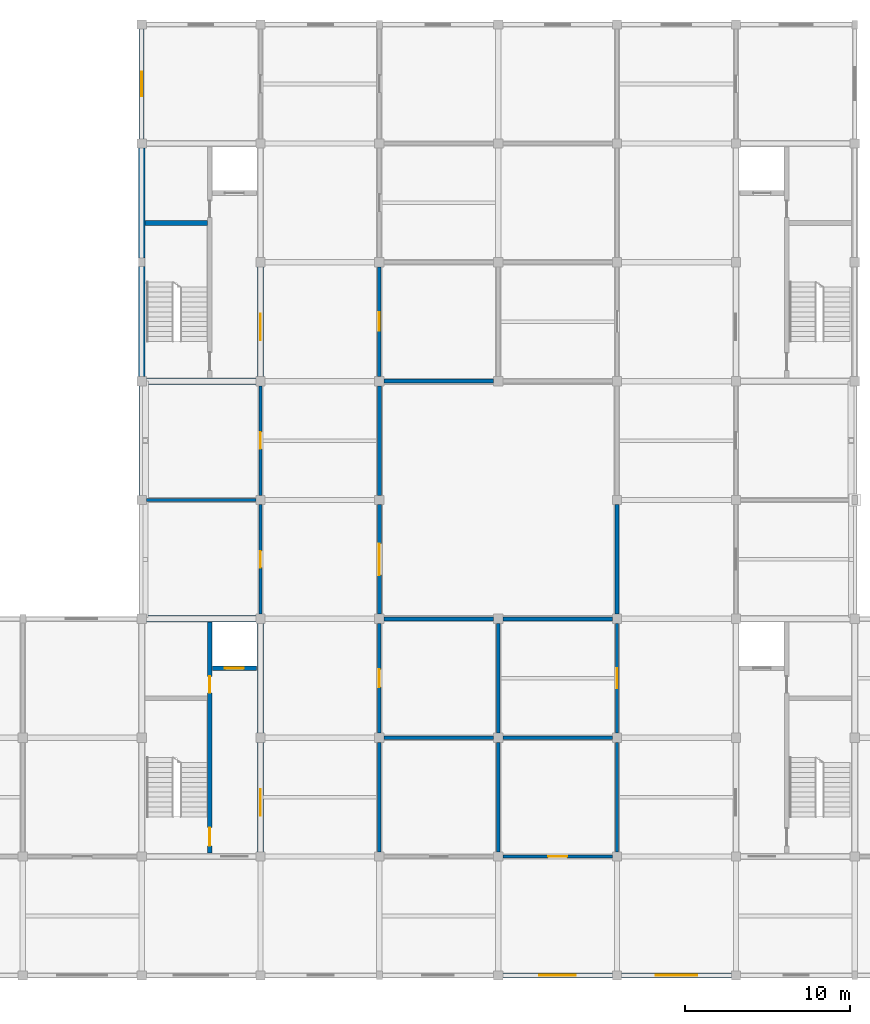
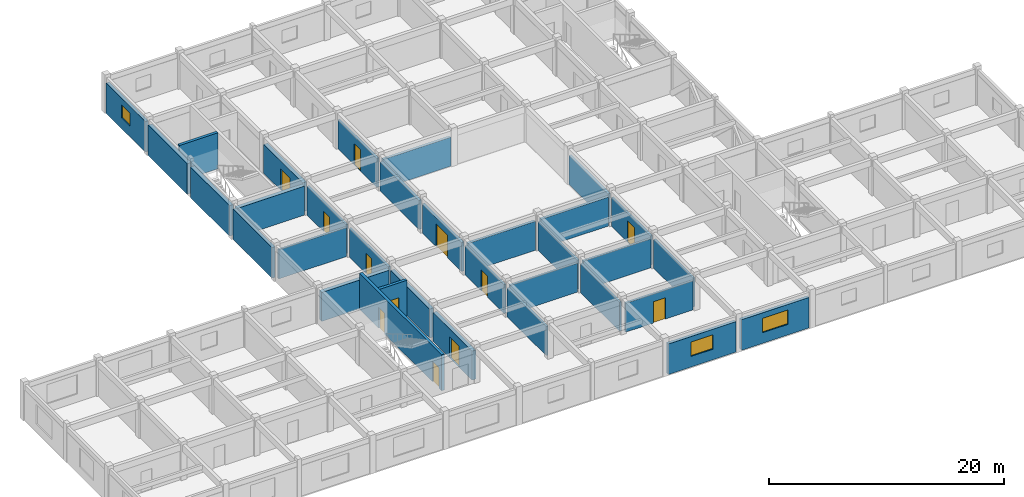
# One storey, part 6 of 10: 33 walls, 12 doors, 3 windows, 15 openings.
"""IFC4 building model written with IfcOpenShell, lengths in metres."""

import ifcopenshell
import ifcopenshell.guid

model = None  # the IFC model being written
_history = None  # IfcOwnerHistory: only IFC2X3 demands one
_inside = {}  # id of a spatial element -> (the spatial element, [elements in it])
_under = {}  # id of a project, library or spatial element -> (it, [spatial elements below it])
_declared = {}  # id of a project -> (the project, [libraries it declares])
_typed = {}  # id of a type object -> (the type object, [elements of that type])
_made_of = {}  # id of a material, layer set ... -> (it, [elements and type objects made of it])


def new_model(schema):
    """Start an empty IFC model of exactly this schema.

    Asked for "IFC4X3", IfcOpenShell would pick the latest addendum, in which some entities
    have other attributes; the version numbers below select the first issue.
    IFC2X3 requires an IfcOwnerHistory on every rooted entity: one is made here for all.
    """
    global model, _history
    if schema == "IFC4X3":
        model = ifcopenshell.file(schema_version=(4, 3, 0, 0))
    else:
        model = ifcopenshell.file(schema=schema)
    _inside.clear()
    _under.clear()
    _declared.clear()
    _typed.clear()
    _made_of.clear()
    _history = None
    if model.schema == "IFC2X3":
        org = make("IfcOrganization", Name="unknown")
        user = make(
            "IfcPersonAndOrganization",
            ThePerson=make("IfcPerson", FamilyName="unknown"),
            TheOrganization=org,
        )
        app = make(
            "IfcApplication",
            ApplicationDeveloper=org,
            Version="unknown",
            ApplicationFullName="unknown",
            ApplicationIdentifier="unknown",
        )
        _history = make(
            "IfcOwnerHistory",
            OwningUser=user,
            OwningApplication=app,
            ChangeAction="ADDED",
            CreationDate=0,
        )
    return model


def make(cls, **values):
    """One entity of the class cls with the attributes given. An attribute that is None is left unset."""
    return model.create_entity(
        cls, **{name: value for name, value in values.items() if value is not None}
    )


def rooted(cls, **values):
    """An entity with a GlobalId (a new one), such as an element, a storey or a relation."""
    return make(cls, GlobalId=ifcopenshell.guid.new(), OwnerHistory=_history, **values)


def si_unit(unit_type, name, prefix=None):
    """IfcSIUnit, for example si_unit("LENGTHUNIT", "METRE", prefix="MILLI")."""
    return make("IfcSIUnit", UnitType=unit_type, Prefix=prefix, Name=name)


def assignment(units):
    """IfcUnitAssignment: the units of a project."""
    return None if units is None else make("IfcUnitAssignment", Units=units)


def point(xyz):
    """IfcCartesianPoint."""
    return None if xyz is None else make("IfcCartesianPoint", Coordinates=xyz)


def direction(xyz):
    """IfcDirection."""
    return None if xyz is None else make("IfcDirection", DirectionRatios=xyz)


def frame(location, z_axis=None, x_axis=None):
    """IfcAxis2Placement3D, a coordinate frame: its origin and axes. An axis left out is left unset."""
    return make(
        "IfcAxis2Placement3D",
        Location=point(location),
        Axis=direction(z_axis),
        RefDirection=direction(x_axis),
    )


def frame_2d(location, x_axis=None):
    """IfcAxis2Placement2D, a coordinate frame in the plane: its origin and x axis."""
    return make(
        "IfcAxis2Placement2D", Location=point(location), RefDirection=direction(x_axis)
    )


def origin():
    """The frame at (0, 0, 0) with its axes left unset."""
    return frame((0.0, 0.0, 0.0))


def place(relative_to, where):
    """IfcLocalPlacement: puts the frame where relative to a parent placement (None: the world)."""
    return make(
        "IfcLocalPlacement", PlacementRelTo=relative_to, RelativePlacement=where
    )


def context(
    kind, dimensions, precision=None, world=None, true_north=None, identifier=None
):
    """IfcGeometricRepresentationContext, for example the 3D "Model" context."""
    return make(
        "IfcGeometricRepresentationContext",
        ContextIdentifier=identifier,
        ContextType=kind,
        CoordinateSpaceDimension=dimensions,
        Precision=precision,
        WorldCoordinateSystem=world,
        TrueNorth=true_north,
    )


def subcontext(parent, identifier, kind, view, scale=None):
    """IfcGeometricRepresentationSubContext, for example "Body" below "Model"."""
    return make(
        "IfcGeometricRepresentationSubContext",
        ContextIdentifier=identifier,
        ContextType=kind,
        ParentContext=parent,
        TargetScale=scale,
        TargetView=view,
    )


def project(units=None, contexts=None):
    """IfcProject with its units and contexts."""
    return rooted(
        "IfcProject",
        Name="project",
        RepresentationContexts=contexts,
        UnitsInContext=assignment(units),
    )


def spatial(cls, under=None, at=None, **own):
    """A site, building, storey or space (cls), placed at a placement, below another one or the project."""
    s = rooted(cls, ObjectPlacement=at, **own)
    if under is not None:
        _under.setdefault(under.id(), (under, []))[1].append(s)
    return s


def profile(cls, at=None, kind="AREA", **sizes):
    """A parametric profile (cls). Its sizes go by their IFC names, for example OverallWidth=200.0."""
    return make(cls, ProfileType=kind, Position=at, **sizes)


def rectangle(**sizes):
    """IfcRectangleProfileDef."""
    return profile("IfcRectangleProfileDef", **sizes)


def extrude(swept, where, along, depth):
    """IfcExtrudedAreaSolid: the profile swept, set in the frame where, extruded along a direction by depth."""
    return make(
        "IfcExtrudedAreaSolid",
        SweptArea=swept,
        Position=where,
        ExtrudedDirection=direction(along),
        Depth=depth,
    )


def shape(context_of_items, identifier, shape_type, items):
    """IfcShapeRepresentation: the items that make up one representation, for example the "Body"."""
    return make(
        "IfcShapeRepresentation",
        ContextOfItems=context_of_items,
        RepresentationIdentifier=identifier,
        RepresentationType=shape_type,
        Items=items,
    )


def material(Name=None, Category=None):
    """IfcMaterial."""
    return make("IfcMaterial", Name=Name, Category=Category)


def layer(
    of_material, thickness, ventilated=None, Name=None, Category=None, Priority=None
):
    """IfcMaterialLayer: one layer of a wall or slab, of a material (None: an air gap)."""
    return make(
        "IfcMaterialLayer",
        Material=of_material,
        LayerThickness=thickness,
        IsVentilated=ventilated,
        Name=Name,
        Category=Category,
        Priority=Priority,
    )


def layer_set(layers, Name=None):
    """IfcMaterialLayerSet."""
    return make("IfcMaterialLayerSet", MaterialLayers=layers, LayerSetName=Name)


def made_of(thing, what):
    """Note that an element or type object is made of a material, layer set ...; save() writes the relation."""
    if what is not None:
        _made_of.setdefault(what.id(), (what, []))[1].append(thing)
    return thing


def type_object(cls, material=None, **own):
    """A type object (cls), such as IfcWallType, which elements share."""
    return made_of(rooted(cls, **own), material)


def element(
    cls,
    number,
    at=None,
    inside=None,
    cuts=None,
    type_object=None,
    material=None,
    context=None,
    identifier="Body",
    shape_type=None,
    held_by="IfcProductDefinitionShape",
    body=None,
    shapes=None,
    **own,
):
    """One element of the class cls, such as IfcWall. Its Tag is "e" and its number.

    at: its placement. inside: the storey or other place that contains it. cuts: it is an
    opening in that element (IfcRelVoidsElement). A single representation is given by context,
    identifier, shape_type and body (its items); several are given by shapes. held_by: the class
    of the entity that holds the representations. save() writes the other relations.
    """
    e = rooted(cls, Tag="e%d" % number, ObjectPlacement=at, **own)
    if body is not None:
        shapes = [shape(context, identifier, shape_type, body)]
    if shapes is not None:
        e.Representation = make(held_by, Representations=shapes)
    if inside is not None:
        _inside.setdefault(inside.id(), (inside, []))[1].append(e)
    if cuts is not None:
        rooted(
            "IfcRelVoidsElement", RelatingBuildingElement=cuts, RelatedOpeningElement=e
        )
    if type_object is not None:
        _typed.setdefault(type_object.id(), (type_object, []))[1].append(e)
    return made_of(e, material)


def fill(opening, filler):
    """IfcRelFillsElement: the door or window that sits in an opening."""
    return rooted(
        "IfcRelFillsElement",
        RelatingOpeningElement=opening,
        RelatedBuildingElement=filler,
    )


def aggregate(whole, parts):
    """IfcRelAggregates: a whole, such as a stair, and the parts it consists of."""
    return rooted("IfcRelAggregates", RelatingObject=whole, RelatedObjects=parts)


def save(model, path):
    """Write the relations noted so far, then the file.

    IfcRelAggregates (storeys below a building ...), IfcRelContainedInSpatialStructure (elements
    in a storey), IfcRelDefinesByType, IfcRelAssociatesMaterial and IfcRelDeclares: one each for
    every whole, place, type object, material and project.
    """
    for whole, parts in _under.values():
        aggregate(whole, parts)
    for where, things in _inside.values():
        rooted(
            "IfcRelContainedInSpatialStructure",
            RelatedElements=things,
            RelatingStructure=where,
        )
    for kind, things in _typed.values():
        rooted("IfcRelDefinesByType", RelatedObjects=things, RelatingType=kind)
    for what, things in _made_of.values():
        rooted("IfcRelAssociatesMaterial", RelatedObjects=things, RelatingMaterial=what)
    for by, libraries in _declared.values():
        rooted("IfcRelDeclares", RelatingContext=by, RelatedDefinitions=libraries)
    model.write(path)


model = new_model("IFC4")

# Units and contexts
model_context = context("Model", 3, precision=1e-05, world=origin(), true_north=direction((0.0, 1.0)))
body_context = subcontext(model_context, "Body", "Model", "MODEL_VIEW")
ifc_project = project(units=[si_unit("LENGTHUNIT", "METRE"), si_unit("AREAUNIT", "SQUARE_METRE"), si_unit("VOLUMEUNIT", "CUBIC_METRE"), si_unit("PLANEANGLEUNIT", "RADIAN"), si_unit("MASSUNIT", "GRAM", prefix="KILO")], contexts=[model_context])

# Site, building, storey
site_placement = place(None, origin())
site = spatial("IfcSite", under=ifc_project, at=site_placement, CompositionType="ELEMENT")
building_placement = place(site_placement, origin())
building = spatial("IfcBuilding", under=site, at=building_placement, Name="Cendaluz Park School", CompositionType="ELEMENT")
storey_placement = place(building_placement, frame((0.0, 0.0, 38.800048828125)))
storey = spatial("IfcBuildingStorey", under=building, at=storey_placement, Name="L09", CompositionType="ELEMENT", Elevation=38.800048828125)

# Wall
ifc_material_1 = material(Name="Gypsum Plasterboard on Cold-Formed Stud", Category="gypsum")
ifc_layer_1 = layer(ifc_material_1, 0.199951171875)
ifc_layer_set_1 = layer_set([ifc_layer_1], Name="Gypsum Plasterboard on Cold-Formed Stud")
wall_type_1 = type_object("IfcWallType", Name="W-AC20", PredefinedType="PARTITIONING", material=ifc_layer_set_1)
wall_1_placement = place(storey_placement, frame((65.080078125, 36.0, 0.0), z_axis=(0.0, 0.0, 1.0), x_axis=(1.0, 0.0, 0.0)))
element("IfcWall", 1, at=wall_1_placement, inside=storey, type_object=wall_type_1, Name="WL-FJ-BO7", PredefinedType="PARTITIONING", context=body_context, shape_type="SweptSolid", body=[
    extrude(rectangle(XDim=6.639892578125, YDim=0.199951171875, at=frame_2d((3.31982421875, 0.0))), origin(), (0.0, 0.0, 1.0), 3.010009765625),
])

# Wall, opening, door
wall_2_placement = place(storey_placement, frame((72.0, 29.080078125, 0.0), z_axis=(0.0, 0.0, 1.0), x_axis=(0.0, 1.0, 0.0)))
wall_2 = element("IfcWall", 2, at=wall_2_placement, inside=storey, type_object=wall_type_1, Name="WL-FJ-BO8", PredefinedType="PARTITIONING", context=body_context, shape_type="SweptSolid", body=[
    extrude(rectangle(XDim=6.639892578125, YDim=0.199951171875, at=frame_2d((3.31982421875, 0.0))), origin(), (0.0, 0.0, 1.0), 3.010009765625),
])
opening_1_placement = place(wall_2_placement, frame((2.820068359375, 0.0, 0.0)))
opening_1 = element("IfcOpeningElement", 3, at=opening_1_placement, cuts=wall_2, Name="Opening DCL-01", PredefinedType="OPENING", context=body_context, shape_type="SweptSolid", body=[
    extrude(rectangle(XDim=1.0, YDim=2.10009765625, at=frame_2d((0.5, 1.050048828125))), frame((0.0, 0.112060546875, 0.0), z_axis=(0.0, -1.0, 0.0), x_axis=(1.0, 0.0, 0.0)), (0.0, 0.0, 1.0), 0.223876953125),
])
ifc_material_2 = material(Name="Solid Core Hardwood", Category="wood")
door_type_1 = type_object("IfcDoorType", Name="DCL-01", OperationType="NOTDEFINED", PredefinedType="DOOR", material=ifc_material_2)
door_1_placement = place(opening_1_placement, origin())
door_1 = element("IfcDoor", 4, at=door_1_placement, inside=storey, type_object=door_type_1, Name="D-L09-029", OperationType="SINGLE_SWING_LEFT", OverallHeight=2.10009765625, OverallWidth=1.0, PredefinedType="DOOR", context=body_context, shape_type="SweptSolid", body=[
    extrude(rectangle(XDim=1.0, YDim=2.10009765625, at=frame_2d((0.5, 1.050048828125))), frame((0.0, 0.02490234375, 0.0), z_axis=(0.0, -1.0, 0.0), x_axis=(1.0, 0.0, 0.0)), (0.0, 0.0, 1.0), 0.050048828125),
])
fill(opening_1, door_1)

wall_3_placement = place(storey_placement, frame((72.0, 36.280029296875, 0.0), z_axis=(0.0, 0.0, 1.0), x_axis=(0.0, 1.0, 0.0)))
wall_3 = element("IfcWall", 5, at=wall_3_placement, inside=storey, type_object=wall_type_1, Name="WL-FJ-BO9", PredefinedType="PARTITIONING", context=body_context, shape_type="SweptSolid", body=[
    extrude(rectangle(XDim=6.639892578125, YDim=0.199951171875, at=frame_2d((3.31982421875, 0.0))), origin(), (0.0, 0.0, 1.0), 3.010009765625),
])
opening_2_placement = place(wall_3_placement, frame((2.81005859375, 0.0, 0.0)))
opening_2 = element("IfcOpeningElement", 6, at=opening_2_placement, cuts=wall_3, Name="Opening DCL-02", PredefinedType="OPENING", context=body_context, shape_type="SweptSolid", body=[
    extrude(rectangle(XDim=1.02001953125, YDim=2.1201171875, at=frame_2d((0.510009765625, 1.06005859375))), frame((0.0, 0.112060546875, 0.0), z_axis=(0.0, -1.0, 0.0), x_axis=(1.0, 0.0, 0.0)), (0.0, 0.0, 1.0), 0.223876953125),
])
door_type_2 = type_object("IfcDoorType", Name="DCL-02", OperationType="NOTDEFINED", PredefinedType="DOOR", material=ifc_material_2)
door_2_placement = place(opening_2_placement, origin())
door_2 = element("IfcDoor", 7, at=door_2_placement, inside=storey, type_object=door_type_2, Name="D-L09-030", OperationType="SINGLE_SWING_RIGHT", OverallHeight=2.1201171875, OverallWidth=1.02001953125, PredefinedType="DOOR", context=body_context, shape_type="SweptSolid", body=[
    extrude(rectangle(XDim=1.02001953125, YDim=2.1201171875, at=frame_2d((0.510009765625, 1.06005859375))), frame((0.0, 0.02490234375, 0.0), z_axis=(0.0, -1.0, 0.0), x_axis=(1.0, 0.0, 0.0)), (0.0, 0.0, 1.0), 0.050048828125),
])
fill(opening_2, door_2)

# Walls
for number, where, z_axis, x_axis, name in (
    (8, (79.47998046875, 21.60009765625, 0.0), (0.0, 0.0, 1.0), (1.0, 0.0, 0.0), "WL-FJ-BP2"),
    (9, (79.199951171875, 14.679931640625, 0.0), (0.0, 0.0, 1.0), (0.0, 1.0, 0.0), "WL-FJ-BP3"),
    (10, (86.39990234375, 14.679931640625, 0.0), (0.0, 0.0, 1.0), (0.0, 1.0, 0.0), "WL-FJ-BP4"),
):
    element("IfcWall", number, at=place(storey_placement, frame(where, z_axis=z_axis, x_axis=x_axis)), inside=storey, type_object=wall_type_1, Name=name, PredefinedType="PARTITIONING", context=body_context, shape_type="SweptSolid", body=[
        extrude(rectangle(XDim=6.64013671875, YDim=0.199951171875, at=frame_2d((3.320068359375, 0.0))), origin(), (0.0, 0.0, 1.0), 3.010009765625),
    ])

# Wall, opening, door
wall_4_placement = place(storey_placement, frame((79.199951171875, 21.8798828125, 0.0), z_axis=(0.0, 0.0, 1.0), x_axis=(0.0, 1.0, 0.0)))
wall_4 = element("IfcWall", 11, at=wall_4_placement, inside=storey, type_object=wall_type_1, Name="WL-FJ-BP5", PredefinedType="PARTITIONING", context=body_context, shape_type="SweptSolid", body=[
    extrude(rectangle(XDim=6.64013671875, YDim=0.199951171875, at=frame_2d((3.320068359375, 0.0))), origin(), (0.0, 0.0, 1.0), 3.010009765625),
])
opening_3_placement = place(wall_4_placement, frame((2.780029296875, 0.0, 0.0)))
opening_3 = element("IfcOpeningElement", 12, at=opening_3_placement, cuts=wall_4, Name="Opening DCL-05", PredefinedType="OPENING", context=body_context, shape_type="SweptSolid", body=[
    extrude(rectangle(XDim=1.080078125, YDim=2.179931640625, at=frame_2d((0.5400390625, 1.08984375))), frame((0.0, 0.112060546875, 0.0), z_axis=(0.0, -1.0, 0.0), x_axis=(1.0, 0.0, 0.0)), (0.0, 0.0, 1.0), 0.223876953125),
])
door_type_3 = type_object("IfcDoorType", Name="DCL-05", OperationType="NOTDEFINED", PredefinedType="DOOR", material=ifc_material_2)
door_3_placement = place(opening_3_placement, frame((1.080078125, 0.0, 0.0), z_axis=(0.0, 0.0, 1.0), x_axis=(-1.0, 0.0, 0.0)))
door_3 = element("IfcDoor", 13, at=door_3_placement, inside=storey, type_object=door_type_3, Name="D-L09-033", OperationType="SINGLE_SWING_LEFT", OverallHeight=2.179931640625, OverallWidth=1.080078125, PredefinedType="DOOR", context=body_context, shape_type="SweptSolid", body=[
    extrude(rectangle(XDim=1.080078125, YDim=2.179931640625, at=frame_2d((0.5400390625, 1.08984375))), frame((0.0, 0.02490234375, 0.0), z_axis=(0.0, -1.0, 0.0), x_axis=(1.0, 0.0, 0.0)), (0.0, 0.0, 1.0), 0.050048828125),
])
fill(opening_3, door_3)

# Wall
wall_5_placement = place(storey_placement, frame((86.39990234375, 21.8798828125, 0.0), z_axis=(0.0, 0.0, 1.0), x_axis=(0.0, 1.0, 0.0)))
element("IfcWall", 14, at=wall_5_placement, inside=storey, type_object=wall_type_1, Name="WL-FJ-BP6", PredefinedType="PARTITIONING", context=body_context, shape_type="SweptSolid", body=[
    extrude(rectangle(XDim=6.64013671875, YDim=0.199951171875, at=frame_2d((3.320068359375, 0.0))), origin(), (0.0, 0.0, 1.0), 3.010009765625),
])

# Wall, opening, door
wall_6_placement = place(storey_placement, frame((79.199951171875, 43.47998046875, 0.0), z_axis=(0.0, 0.0, 1.0), x_axis=(0.0, 1.0, 0.0)))
wall_6 = element("IfcWall", 15, at=wall_6_placement, inside=storey, type_object=wall_type_1, Name="WL-FJ-BP7", PredefinedType="PARTITIONING", context=body_context, shape_type="SweptSolid", body=[
    extrude(rectangle(XDim=6.64013671875, YDim=0.199951171875, at=frame_2d((3.320068359375, 0.0))), origin(), (0.0, 0.0, 1.0), 3.010009765625),
])
opening_4_placement = place(wall_6_placement, frame((2.760009765625, 0.0, 0.0)))
opening_4 = element("IfcOpeningElement", 16, at=opening_4_placement, cuts=wall_6, Name="Opening DCL-06", PredefinedType="OPENING", context=body_context, shape_type="SweptSolid", body=[
    extrude(rectangle(XDim=1.1201171875, YDim=2.199951171875, at=frame_2d((0.56005859375, 1.10009765625))), frame((0.0, 0.112060546875, 0.0), z_axis=(0.0, -1.0, 0.0), x_axis=(1.0, 0.0, 0.0)), (0.0, 0.0, 1.0), 0.223876953125),
])
door_type_4 = type_object("IfcDoorType", Name="DCL-06", OperationType="NOTDEFINED", PredefinedType="DOOR", material=ifc_material_2)
door_4_placement = place(opening_4_placement, frame((1.1201171875, 0.0, 0.0), z_axis=(0.0, 0.0, 1.0), x_axis=(-1.0, 0.0, 0.0)))
door_4 = element("IfcDoor", 17, at=door_4_placement, inside=storey, type_object=door_type_4, Name="D-L09-034", OperationType="SINGLE_SWING_RIGHT", OverallHeight=2.199951171875, OverallWidth=1.1201171875, PredefinedType="DOOR", context=body_context, shape_type="SweptSolid", body=[
    extrude(rectangle(XDim=1.1201171875, YDim=2.199951171875, at=frame_2d((0.56005859375, 1.10009765625))), frame((0.0, 0.02490234375, 0.0), z_axis=(0.0, -1.0, 0.0), x_axis=(1.0, 0.0, 0.0)), (0.0, 0.0, 1.0), 0.050048828125),
])
fill(opening_4, door_4)

wall_7_placement = place(storey_placement, frame((86.679931640625, 14.39990234375, 0.0), z_axis=(0.0, 0.0, 1.0), x_axis=(1.0, 0.0, 0.0)))
wall_7 = element("IfcWall", 18, at=wall_7_placement, inside=storey, type_object=wall_type_1, Name="WL-FJ-BP9", PredefinedType="PARTITIONING", context=body_context, shape_type="SweptSolid", body=[
    extrude(rectangle(XDim=6.64013671875, YDim=0.199951171875, at=frame_2d((3.320068359375, 0.0))), origin(), (0.0, 0.0, 1.0), 3.010009765625),
])
opening_5_placement = place(wall_7_placement, frame((2.739990234375, 0.0, 0.0)))
opening_5 = element("IfcOpeningElement", 19, at=opening_5_placement, cuts=wall_7, Name="Opening DCL-07", PredefinedType="OPENING", context=body_context, shape_type="SweptSolid", body=[
    extrude(rectangle(XDim=1.159912109375, YDim=2.219970703125, at=frame_2d((0.580078125, 1.10986328125))), frame((0.0, 0.112060546875, 0.0), z_axis=(0.0, -1.0, 0.0), x_axis=(1.0, 0.0, 0.0)), (0.0, 0.0, 1.0), 0.223876953125),
])
door_type_5 = type_object("IfcDoorType", Name="DCL-07", OperationType="NOTDEFINED", PredefinedType="DOOR", material=ifc_material_2)
door_5_placement = place(opening_5_placement, origin())
door_5 = element("IfcDoor", 20, at=door_5_placement, inside=storey, type_object=door_type_5, Name="D-L09-035", OperationType="SINGLE_SWING_LEFT", OverallHeight=2.219970703125, OverallWidth=1.159912109375, PredefinedType="DOOR", context=body_context, shape_type="SweptSolid", body=[
    extrude(rectangle(XDim=1.159912109375, YDim=2.219970703125, at=frame_2d((0.580078125, 1.10986328125))), frame((0.0, 0.02490234375, 0.0), z_axis=(0.0, -1.0, 0.0), x_axis=(1.0, 0.0, 0.0)), (0.0, 0.0, 1.0), 0.050048828125),
])
fill(opening_5, door_5)

# Walls
for number, where, z_axis, x_axis, name in (
    (21, (86.679931640625, 21.60009765625, 0.0), (0.0, 0.0, 1.0), (1.0, 0.0, 0.0), "WL-FJ-BQ0"),
    (22, (93.60009765625, 14.679931640625, 0.0), (0.0, 0.0, 1.0), (0.0, 1.0, 0.0), "WL-FJ-BQ1"),
):
    element("IfcWall", number, at=place(storey_placement, frame(where, z_axis=z_axis, x_axis=x_axis)), inside=storey, type_object=wall_type_1, Name=name, PredefinedType="PARTITIONING", context=body_context, shape_type="SweptSolid", body=[
        extrude(rectangle(XDim=6.64013671875, YDim=0.199951171875, at=frame_2d((3.320068359375, 0.0))), origin(), (0.0, 0.0, 1.0), 3.010009765625),
    ])

# Wall, opening, door
wall_8_placement = place(storey_placement, frame((93.60009765625, 21.8798828125, 0.0), z_axis=(0.0, 0.0, 1.0), x_axis=(0.0, 1.0, 0.0)))
wall_8 = element("IfcWall", 23, at=wall_8_placement, inside=storey, type_object=wall_type_1, Name="WL-FJ-BQ2", PredefinedType="PARTITIONING", context=body_context, shape_type="SweptSolid", body=[
    extrude(rectangle(XDim=6.64013671875, YDim=0.199951171875, at=frame_2d((3.320068359375, 0.0))), origin(), (0.0, 0.0, 1.0), 3.010009765625),
])
opening_6_placement = place(wall_8_placement, frame((2.719970703125, 0.0, 0.0)))
opening_6 = element("IfcOpeningElement", 24, at=opening_6_placement, cuts=wall_8, Name="Opening DCL-08", PredefinedType="OPENING", context=body_context, shape_type="SweptSolid", body=[
    extrude(rectangle(XDim=1.199951171875, YDim=2.239990234375, at=frame_2d((0.60009765625, 1.1201171875))), frame((0.0, 0.112060546875, 0.0), z_axis=(0.0, -1.0, 0.0), x_axis=(1.0, 0.0, 0.0)), (0.0, 0.0, 1.0), 0.223876953125),
])
door_type_6 = type_object("IfcDoorType", Name="DCL-08", OperationType="NOTDEFINED", PredefinedType="DOOR", material=ifc_material_2)
door_6_placement = place(opening_6_placement, origin())
door_6 = element("IfcDoor", 25, at=door_6_placement, inside=storey, type_object=door_type_6, Name="D-L09-036", OperationType="SINGLE_SWING_RIGHT", OverallHeight=2.239990234375, OverallWidth=1.199951171875, PredefinedType="DOOR", context=body_context, shape_type="SweptSolid", body=[
    extrude(rectangle(XDim=1.199951171875, YDim=2.239990234375, at=frame_2d((0.60009765625, 1.1201171875))), frame((0.0, 0.02490234375, 0.0), z_axis=(0.0, -1.0, 0.0), x_axis=(1.0, 0.0, 0.0)), (0.0, 0.0, 1.0), 0.050048828125),
])
fill(opening_6, door_6)

# Wall
ifc_layer_2 = layer(ifc_material_1, 0.25)
ifc_layer_set_2 = layer_set([ifc_layer_2], Name="Gypsum Plasterboard on Cold-Formed Stud")
wall_type_2 = type_object("IfcWallType", Name="W-CP25", PredefinedType="PARTITIONING", material=ifc_layer_set_2)
wall_9_placement = place(storey_placement, frame((79.47998046875, 28.800048828125, 0.0), z_axis=(0.0, 0.0, 1.0), x_axis=(1.0, 0.0, 0.0)))
element("IfcWall", 26, at=wall_9_placement, inside=storey, type_object=wall_type_2, Name="WL-FJ-BL4", PredefinedType="PARTITIONING", context=body_context, shape_type="SweptSolid", body=[
    extrude(rectangle(XDim=6.64013671875, YDim=0.25, at=frame_2d((3.320068359375, 0.0))), origin(), (0.0, 0.0, 1.0), 3.010009765625),
])

# Wall, opening, door
wall_10_placement = place(storey_placement, frame((79.199951171875, 29.080078125, 0.0), z_axis=(0.0, 0.0, 1.0), x_axis=(0.0, 1.0, 0.0)))
wall_10 = element("IfcWall", 27, at=wall_10_placement, inside=storey, type_object=wall_type_2, Name="WL-FJ-BL5", PredefinedType="PARTITIONING", context=body_context, shape_type="SweptSolid", body=[
    extrude(rectangle(XDim=6.639892578125, YDim=0.25, at=frame_2d((3.31982421875, 0.0))), origin(), (0.0, 0.0, 1.0), 3.010009765625),
])
opening_7_placement = place(wall_10_placement, frame((2.3701171875, 0.0, 0.0)))
opening_7 = element("IfcOpeningElement", 28, at=opening_7_placement, cuts=wall_10, Name="Opening DHL-01", PredefinedType="OPENING", context=body_context, shape_type="SweptSolid", body=[
    extrude(rectangle(XDim=1.89990234375, YDim=2.35009765625, at=frame_2d((0.949951171875, 1.175048828125))), frame((0.0, 0.136962890625, 0.0), z_axis=(0.0, -1.0, 0.0), x_axis=(1.0, 0.0, 0.0)), (0.0, 0.0, 1.0), 0.27392578125),
])
door_type_7 = type_object("IfcDoorType", Name="DHL-01", OperationType="DOUBLE_DOOR_SINGLE_SWING", PredefinedType="DOOR", material=ifc_material_2)
door_7_placement = place(opening_7_placement, origin())
door_7 = element("IfcDoor", 29, at=door_7_placement, inside=storey, type_object=door_type_7, Name="D-L09-019", OperationType="DOUBLE_DOOR_SINGLE_SWING", OverallHeight=2.35009765625, OverallWidth=1.89990234375, PredefinedType="DOOR", context=body_context, shape_type="SweptSolid", body=[
    extrude(rectangle(XDim=1.89990234375, YDim=2.35009765625, at=frame_2d((0.949951171875, 1.175048828125))), frame((0.0, 0.02490234375, 0.0), z_axis=(0.0, -1.0, 0.0), x_axis=(1.0, 0.0, 0.0)), (0.0, 0.0, 1.0), 0.050048828125),
])
fill(opening_7, door_7)

# Walls
wall_11_placement = place(storey_placement, frame((79.47998046875, 43.199951171875, 0.0), z_axis=(0.0, 0.0, 1.0), x_axis=(1.0, 0.0, 0.0)))
element("IfcWall", 30, at=wall_11_placement, inside=storey, type_object=wall_type_2, Name="WL-FJ-BL6", PredefinedType="PARTITIONING", context=body_context, shape_type="SweptSolid", body=[
    extrude(rectangle(XDim=6.64013671875, YDim=0.25, at=frame_2d((3.320068359375, 0.0))), origin(), (0.0, 0.0, 1.0), 3.010009765625),
])
wall_12_placement = place(storey_placement, frame((79.199951171875, 36.280029296875, 0.0), z_axis=(0.0, 0.0, 1.0), x_axis=(0.0, 1.0, 0.0)))
element("IfcWall", 31, at=wall_12_placement, inside=storey, type_object=wall_type_2, Name="WL-FJ-BL7", PredefinedType="PARTITIONING", context=body_context, shape_type="SweptSolid", body=[
    extrude(rectangle(XDim=6.639892578125, YDim=0.25, at=frame_2d((3.31982421875, 0.0))), origin(), (0.0, 0.0, 1.0), 3.010009765625),
])
wall_13_placement = place(storey_placement, frame((86.679931640625, 28.800048828125, 0.0), z_axis=(0.0, 0.0, 1.0), x_axis=(1.0, 0.0, 0.0)))
element("IfcWall", 32, at=wall_13_placement, inside=storey, type_object=wall_type_2, Name="WL-FJ-BL8", PredefinedType="PARTITIONING", context=body_context, shape_type="SweptSolid", body=[
    extrude(rectangle(XDim=6.64013671875, YDim=0.25, at=frame_2d((3.320068359375, 0.0))), origin(), (0.0, 0.0, 1.0), 3.010009765625),
])
wall_14_placement = place(storey_placement, frame((93.60009765625, 29.080078125, 0.0), z_axis=(0.0, 0.0, 1.0), x_axis=(0.0, 1.0, 0.0)))
element("IfcWall", 33, at=wall_14_placement, inside=storey, type_object=wall_type_2, Name="WL-FJ-BL9", PredefinedType="PARTITIONING", context=body_context, shape_type="SweptSolid", body=[
    extrude(rectangle(XDim=6.639892578125, YDim=0.25, at=frame_2d((3.31982421875, 0.0))), origin(), (0.0, 0.0, 1.0), 3.010009765625),
])
ifc_material_3 = material(Name="Cross-laminated timber CLT C24", Category="wood")
ifc_layer_3 = layer(ifc_material_3, 0.300048828125)
ifc_layer_set_3 = layer_set([ifc_layer_3], Name="Cross-laminated timber CLT C24")
wall_type_3 = type_object("IfcWallType", Name="W-EX30", PredefinedType="SOLIDWALL", material=ifc_layer_set_3)
wall_15_placement = place(storey_placement, frame((64.800048828125, 36.280029296875, 0.0), z_axis=(0.0, 0.0, 1.0), x_axis=(0.0, 1.0, 0.0)))
element("IfcWall", 34, at=wall_15_placement, inside=storey, type_object=wall_type_3, Name="WL-FJ-AB3", PredefinedType="SOLIDWALL", context=body_context, shape_type="SweptSolid", body=[
    extrude(rectangle(XDim=6.639892578125, YDim=0.300048828125, at=frame_2d((3.31982421875, 0.0))), origin(), (0.0, 0.0, 1.0), 3.169921875),
])

# Wall, opening, window
wall_16_placement = place(storey_placement, frame((64.800048828125, 57.8798828125, 0.0), z_axis=(0.0, 0.0, 1.0), x_axis=(0.0, 1.0, 0.0)))
wall_16 = element("IfcWall", 35, at=wall_16_placement, inside=storey, type_object=wall_type_3, Name="WL-FJ-AB5", PredefinedType="SOLIDWALL", context=body_context, shape_type="SweptSolid", body=[
    extrude(rectangle(XDim=6.64013671875, YDim=0.300048828125, at=frame_2d((3.320068359375, 0.0))), origin(), (0.0, 0.0, 1.0), 3.169921875),
])
opening_8_placement = place(wall_16_placement, frame((2.570068359375, 0.0, 1.10009765625)))
opening_8 = element("IfcOpeningElement", 36, at=opening_8_placement, cuts=wall_16, Name="Opening WN-20", PredefinedType="OPENING", context=body_context, shape_type="SweptSolid", body=[
    extrude(rectangle(XDim=1.5, YDim=1.35009765625, at=frame_2d((0.75, 0.675048828125))), frame((0.0, 0.162109375, 0.0), z_axis=(0.0, -1.0, 0.0), x_axis=(1.0, 0.0, 0.0)), (0.0, 0.0, 1.0), 0.323974609375),
])
ifc_material_4 = material(Name="Tempered Low-E Double Glazing", Category="glass")
window_type_1 = type_object("IfcWindowType", Name="WN-20", PartitioningType="SINGLE_PANEL", PredefinedType="WINDOW", material=ifc_material_4)
window_1_placement = place(opening_8_placement, origin())
window_1 = element("IfcWindow", 37, at=window_1_placement, inside=storey, type_object=window_type_1, Name="WN-L09-014", OverallHeight=1.35009765625, OverallWidth=1.5, PartitioningType="SINGLE_PANEL", PredefinedType="WINDOW", context=body_context, shape_type="SweptSolid", body=[
    extrude(rectangle(XDim=1.5, YDim=1.35009765625, at=frame_2d((0.75, 0.675048828125))), frame((0.0, 0.030029296875, 0.0), z_axis=(0.0, -1.0, 0.0), x_axis=(1.0, 0.0, 0.0)), (0.0, 0.0, 1.0), 0.06005859375),
])
fill(opening_8, window_1)

wall_17_placement = place(storey_placement, frame((86.679931640625, 7.199951171875, 0.0), z_axis=(0.0, 0.0, 1.0), x_axis=(1.0, 0.0, 0.0)))
wall_17 = element("IfcWall", 38, at=wall_17_placement, inside=storey, type_object=wall_type_3, Name="WL-FJ-AC0", PredefinedType="SOLIDWALL", context=body_context, shape_type="SweptSolid", body=[
    extrude(rectangle(XDim=6.64013671875, YDim=0.300048828125, at=frame_2d((3.320068359375, 0.0))), origin(), (0.0, 0.0, 1.0), 3.169921875),
])
opening_9_placement = place(wall_17_placement, frame((2.219970703125, 0.0, 1.10009765625)))
opening_9 = element("IfcOpeningElement", 39, at=opening_9_placement, cuts=wall_17, Name="Opening WN-18", PredefinedType="OPENING", context=body_context, shape_type="SweptSolid", body=[
    extrude(rectangle(XDim=2.199951171875, YDim=1.5, at=frame_2d((1.10009765625, 0.75))), frame((0.0, 0.162109375, 0.0), z_axis=(0.0, -1.0, 0.0), x_axis=(1.0, 0.0, 0.0)), (0.0, 0.0, 1.0), 0.323974609375),
])
window_type_2 = type_object("IfcWindowType", Name="WN-18", PartitioningType="SINGLE_PANEL", PredefinedType="WINDOW", material=ifc_material_4)
window_2_placement = place(opening_9_placement, origin())
window_2 = element("IfcWindow", 40, at=window_2_placement, inside=storey, type_object=window_type_2, Name="WN-L09-019", OverallHeight=1.5, OverallWidth=2.199951171875, PartitioningType="SINGLE_PANEL", PredefinedType="WINDOW", context=body_context, shape_type="SweptSolid", body=[
    extrude(rectangle(XDim=2.199951171875, YDim=1.5, at=frame_2d((1.10009765625, 0.75))), frame((0.0, 0.030029296875, 0.0), z_axis=(0.0, -1.0, 0.0), x_axis=(1.0, 0.0, 0.0)), (0.0, 0.0, 1.0), 0.06005859375),
])
fill(opening_9, window_2)

wall_18_placement = place(storey_placement, frame((93.8798828125, 7.199951171875, 0.0), z_axis=(0.0, 0.0, 1.0), x_axis=(1.0, 0.0, 0.0)))
wall_18 = element("IfcWall", 41, at=wall_18_placement, inside=storey, type_object=wall_type_3, Name="WL-FJ-AC2", PredefinedType="SOLIDWALL", context=body_context, shape_type="SweptSolid", body=[
    extrude(rectangle(XDim=6.64013671875, YDim=0.300048828125, at=frame_2d((3.320068359375, 0.0))), origin(), (0.0, 0.0, 1.0), 3.169921875),
])
opening_10_placement = place(wall_18_placement, frame((2.070068359375, 0.0, 1.10009765625)))
opening_10 = element("IfcOpeningElement", 42, at=opening_10_placement, cuts=wall_18, Name="Opening WN-19", PredefinedType="OPENING", context=body_context, shape_type="SweptSolid", body=[
    extrude(rectangle(XDim=2.5, YDim=1.5, at=frame_2d((1.25, 0.75))), frame((0.0, 0.162109375, 0.0), z_axis=(0.0, -1.0, 0.0), x_axis=(1.0, 0.0, 0.0)), (0.0, 0.0, 1.0), 0.323974609375),
])
window_type_3 = type_object("IfcWindowType", Name="WN-19", PartitioningType="SINGLE_PANEL", PredefinedType="WINDOW", material=ifc_material_4)
window_3_placement = place(opening_10_placement, origin())
window_3 = element("IfcWindow", 43, at=window_3_placement, inside=storey, type_object=window_type_3, Name="WN-L09-021", OverallHeight=1.5, OverallWidth=2.5, PartitioningType="SINGLE_PANEL", PredefinedType="WINDOW", context=body_context, shape_type="SweptSolid", body=[
    extrude(rectangle(XDim=2.5, YDim=1.5, at=frame_2d((1.25, 0.75))), frame((0.0, 0.030029296875, 0.0), z_axis=(0.0, -1.0, 0.0), x_axis=(1.0, 0.0, 0.0)), (0.0, 0.0, 1.0), 0.06005859375),
])
fill(opening_10, window_3)

# Wall, openings, doors
ifc_material_5 = material(Name="Concrete C40/50", Category="concrete")
ifc_layer_4 = layer(ifc_material_5, 0.280029296875)
ifc_layer_set_4 = layer_set([ifc_layer_4], Name="Concrete C40/50")
wall_type_4 = type_object("IfcWallType", Name="W-FW28", PredefinedType="SHEAR", material=ifc_layer_set_4)
wall_19_placement = place(storey_placement, frame((68.919921875, 14.60009765625, 0.0), z_axis=(0.0, 0.0, 1.0), x_axis=(0.0, 1.0, 0.0)))
wall_19 = element("IfcWall", 44, at=wall_19_placement, inside=storey, type_object=wall_type_4, Name="WL-FJ-BI4", PredefinedType="SHEAR", context=body_context, shape_type="SweptSolid", body=[
    extrude(rectangle(XDim=14.0, YDim=0.280029296875, at=frame_2d((7.0, 0.0))), origin(), (0.0, 0.0, 1.0), 3.739990234375),
])
opening_11_placement = place(wall_19_placement, frame((0.449951171875, 0.0, 0.0)))
opening_11 = element("IfcOpeningElement", 45, at=opening_11_placement, cuts=wall_19, Name="Opening DST-01", PredefinedType="OPENING", context=body_context, shape_type="SweptSolid", body=[
    extrude(rectangle(XDim=1.10009765625, YDim=2.14990234375, at=frame_2d((0.550048828125, 1.074951171875))), frame((0.0, 0.152099609375, 0.0), z_axis=(0.0, -1.0, 0.0), x_axis=(1.0, 0.0, 0.0)), (0.0, 0.0, 1.0), 0.303955078125),
])
opening_12_placement = place(wall_19_placement, frame((9.719970703125, 0.0, 0.0)))
opening_12 = element("IfcOpeningElement", 46, at=opening_12_placement, cuts=wall_19, Name="Opening DFC-01", PredefinedType="OPENING", context=body_context, shape_type="SweptSolid", body=[
    extrude(rectangle(XDim=1.0, YDim=2.14990234375, at=frame_2d((0.5, 1.074951171875))), frame((0.0, 0.152099609375, 0.0), z_axis=(0.0, -1.0, 0.0), x_axis=(1.0, 0.0, 0.0)), (0.0, 0.0, 1.0), 0.303955078125),
])
door_type_8 = type_object("IfcDoorType", Name="DFC-01", OperationType="NOTDEFINED", PredefinedType="DOOR", material=ifc_material_2)
door_8_placement = place(opening_12_placement, origin())
door_8 = element("IfcDoor", 47, at=door_8_placement, inside=storey, type_object=door_type_8, Name="D-L09-004", OperationType="SINGLE_SWING_LEFT", OverallHeight=2.14990234375, OverallWidth=1.0, PredefinedType="DOOR", context=body_context, shape_type="SweptSolid", body=[
    extrude(rectangle(XDim=1.0, YDim=2.14990234375, at=frame_2d((0.5, 1.074951171875))), frame((0.0, 0.02490234375, 0.0), z_axis=(0.0, -1.0, 0.0), x_axis=(1.0, 0.0, 0.0)), (0.0, 0.0, 1.0), 0.050048828125),
])
fill(opening_12, door_8)
door_type_9 = type_object("IfcDoorType", Name="DST-01", OperationType="NOTDEFINED", PredefinedType="DOOR", material=ifc_material_2)
door_9_placement = place(opening_11_placement, origin())
door_9 = element("IfcDoor", 48, at=door_9_placement, inside=storey, type_object=door_type_9, Name="D-L09-003", OperationType="SINGLE_SWING_LEFT", OverallHeight=2.14990234375, OverallWidth=1.10009765625, PredefinedType="DOOR", context=body_context, shape_type="SweptSolid", body=[
    extrude(rectangle(XDim=1.10009765625, YDim=2.14990234375, at=frame_2d((0.550048828125, 1.074951171875))), frame((0.0, 0.02490234375, 0.0), z_axis=(0.0, -1.0, 0.0), x_axis=(1.0, 0.0, 0.0)), (0.0, 0.0, 1.0), 0.050048828125),
])
fill(opening_11, door_9)

# Wall, opening, door
wall_20_placement = place(storey_placement, frame((69.080078125, 25.800048828125, 0.0), z_axis=(0.0, 0.0, 1.0), x_axis=(1.0, 0.0, 0.0)))
wall_20 = element("IfcWall", 49, at=wall_20_placement, inside=storey, type_object=wall_type_4, Name="WL-FJ-BI6", PredefinedType="SHEAR", context=body_context, shape_type="SweptSolid", body=[
    extrude(rectangle(XDim=2.679931640625, YDim=0.280029296875, at=frame_2d((1.33984375, 0.0))), origin(), (0.0, 0.0, 1.0), 3.739990234375),
])
opening_13_placement = place(wall_20_placement, frame((0.764892578125, 0.0, 0.0)))
opening_13 = element("IfcOpeningElement", 50, at=opening_13_placement, cuts=wall_20, Name="Opening LD-01", PredefinedType="OPENING", context=body_context, shape_type="SweptSolid", body=[
    extrude(rectangle(XDim=1.14990234375, YDim=2.199951171875, at=frame_2d((0.574951171875, 1.10009765625))), frame((0.0, 0.152099609375, 0.0), z_axis=(0.0, -1.0, 0.0), x_axis=(1.0, 0.0, 0.0)), (0.0, 0.0, 1.0), 0.303955078125),
])
ifc_material_6 = material(Name="Stainless Steel 316L", Category="steel")
door_type_10 = type_object("IfcDoorType", Name="LD-01", OperationType="DOUBLE_DOOR_SLIDING", PredefinedType="DOOR", material=ifc_material_6)
door_10_placement = place(opening_13_placement, frame((1.14990234375, 0.0, 0.0), z_axis=(0.0, 0.0, 1.0), x_axis=(-1.0, 0.0, 0.0)))
door_10 = element("IfcDoor", 51, at=door_10_placement, inside=storey, type_object=door_type_10, Name="D-L09-005", OperationType="DOUBLE_DOOR_SLIDING", OverallHeight=2.199951171875, OverallWidth=1.14990234375, PredefinedType="DOOR", context=body_context, shape_type="SweptSolid", body=[
    extrude(rectangle(XDim=1.14990234375, YDim=2.199951171875, at=frame_2d((0.574951171875, 1.10009765625))), frame((0.0, 0.02490234375, 0.0), z_axis=(0.0, -1.0, 0.0), x_axis=(1.0, 0.0, 0.0)), (0.0, 0.0, 1.0), 0.050048828125),
])
fill(opening_13, door_10)

# Wall
wall_21_placement = place(storey_placement, frame((65.0, 52.780029296875, 0.0), z_axis=(0.0, 0.0, 1.0), x_axis=(1.0, 0.0, 0.0)))
element("IfcWall", 52, at=wall_21_placement, inside=storey, type_object=wall_type_4, Name="WL-FJ-BK3", PredefinedType="SHEAR", context=body_context, shape_type="SweptSolid", body=[
    extrude(rectangle(XDim=3.780029296875, YDim=0.280029296875, at=frame_2d((1.89013671875, 0.0))), origin(), (0.0, 0.0, 1.0), 3.739990234375),
])

# Wall, opening, door
ifc_layer_5 = layer(ifc_material_5, 0.3798828125)
ifc_layer_set_5 = layer_set([ifc_layer_5], Name="Concrete C40/50")
wall_type_5 = type_object("IfcWallType", Name="W-SH38", PredefinedType="SHEAR", material=ifc_layer_set_5)
wall_22_placement = place(storey_placement, frame((72.0, 14.679931640625, 0.0), z_axis=(0.0, 0.0, 1.0), x_axis=(0.0, 1.0, 0.0)))
wall_22 = element("IfcWall", 53, at=wall_22_placement, inside=storey, type_object=wall_type_5, Name="WL-FJ-BI0", PredefinedType="SHEAR", context=body_context, shape_type="SweptSolid", body=[
    extrude(rectangle(XDim=6.64013671875, YDim=0.3798828125, at=frame_2d((3.320068359375, 0.0))), origin(), (0.0, 0.0, 1.0), 3.010009765625),
])
opening_14_placement = place(wall_22_placement, frame((2.199951171875, 0.0, 0.0)))
opening_14 = element("IfcOpeningElement", 54, at=opening_14_placement, cuts=wall_22, Name="Opening DLB-01", PredefinedType="OPENING", context=body_context, shape_type="SweptSolid", body=[
    extrude(rectangle(XDim=1.60009765625, YDim=2.199951171875, at=frame_2d((0.800048828125, 1.10009765625))), frame((0.0, 0.201904296875, 0.0), z_axis=(0.0, -1.0, 0.0), x_axis=(1.0, 0.0, 0.0)), (0.0, 0.0, 1.0), 0.40380859375),
])
door_type_11 = type_object("IfcDoorType", Name="DLB-01", OperationType="DOUBLE_DOOR_SINGLE_SWING", PredefinedType="DOOR", material=ifc_material_2)
door_11_placement = place(opening_14_placement, origin())
door_11 = element("IfcDoor", 55, at=door_11_placement, inside=storey, type_object=door_type_11, Name="D-L09-001", OperationType="DOUBLE_DOOR_SINGLE_SWING", OverallHeight=2.199951171875, OverallWidth=1.60009765625, PredefinedType="DOOR", context=body_context, shape_type="SweptSolid", body=[
    extrude(rectangle(XDim=1.60009765625, YDim=2.199951171875, at=frame_2d((0.800048828125, 1.10009765625))), frame((0.0, 0.02490234375, 0.0), z_axis=(0.0, -1.0, 0.0), x_axis=(1.0, 0.0, 0.0)), (0.0, 0.0, 1.0), 0.050048828125),
])
fill(opening_14, door_11)

# Walls
wall_23_placement = place(storey_placement, frame((72.0, 21.8798828125, 0.0), z_axis=(0.0, 0.0, 1.0), x_axis=(0.0, 1.0, 0.0)))
element("IfcWall", 56, at=wall_23_placement, inside=storey, type_object=wall_type_5, Name="WL-FJ-BI1", PredefinedType="SHEAR", context=body_context, shape_type="SweptSolid", body=[
    extrude(rectangle(XDim=6.64013671875, YDim=0.3798828125, at=frame_2d((3.320068359375, 0.0))), origin(), (0.0, 0.0, 1.0), 3.010009765625),
])
wall_24_placement = place(storey_placement, frame((65.080078125, 28.800048828125, 0.0), z_axis=(0.0, 0.0, 1.0), x_axis=(1.0, 0.0, 0.0)))
element("IfcWall", 57, at=wall_24_placement, inside=storey, type_object=wall_type_5, Name="WL-FJ-BI3", PredefinedType="SHEAR", context=body_context, shape_type="SweptSolid", body=[
    extrude(rectangle(XDim=6.639892578125, YDim=0.3798828125, at=frame_2d((3.31982421875, 0.0))), origin(), (0.0, 0.0, 1.0), 3.010009765625),
])
wall_25_placement = place(storey_placement, frame((64.800048828125, 43.47998046875, 0.0), z_axis=(0.0, 0.0, 1.0), x_axis=(0.0, 1.0, 0.0)))
element("IfcWall", 58, at=wall_25_placement, inside=storey, type_object=wall_type_5, Name="WL-FJ-BJ6", PredefinedType="SHEAR", context=body_context, shape_type="SweptSolid", body=[
    extrude(rectangle(XDim=6.659912109375, YDim=0.3798828125, at=frame_2d((3.330078125, 0.0))), origin(), (0.0, 0.0, 1.0), 3.169921875),
])
wall_26_placement = place(storey_placement, frame((64.800048828125, 50.659912109375, 0.0), z_axis=(0.0, 0.0, 1.0), x_axis=(0.0, 1.0, 0.0)))
element("IfcWall", 59, at=wall_26_placement, inside=storey, type_object=wall_type_5, Name="WL-FJ-BJ7", PredefinedType="SHEAR", context=body_context, shape_type="SweptSolid", body=[
    extrude(rectangle(XDim=6.66015625, YDim=0.3798828125, at=frame_2d((3.330078125, 0.0))), origin(), (0.0, 0.0, 1.0), 3.169921875),
])

# Wall, opening, door
wall_27_placement = place(storey_placement, frame((72.0, 43.47998046875, 0.0), z_axis=(0.0, 0.0, 1.0), x_axis=(0.0, 1.0, 0.0)))
wall_27 = element("IfcWall", 60, at=wall_27_placement, inside=storey, type_object=wall_type_5, Name="WL-FJ-BJ8", PredefinedType="SHEAR", context=body_context, shape_type="SweptSolid", body=[
    extrude(rectangle(XDim=6.64013671875, YDim=0.3798828125, at=frame_2d((3.320068359375, 0.0))), origin(), (0.0, 0.0, 1.0), 3.010009765625),
])
opening_15_placement = place(wall_27_placement, frame((2.199951171875, 0.0, 0.0)))
opening_15 = element("IfcOpeningElement", 61, at=opening_15_placement, cuts=wall_27, Name="Opening DLB-01", PredefinedType="OPENING", context=body_context, shape_type="SweptSolid", body=[
    extrude(rectangle(XDim=1.60009765625, YDim=2.199951171875, at=frame_2d((0.800048828125, 1.10009765625))), frame((0.0, 0.201904296875, 0.0), z_axis=(0.0, -1.0, 0.0), x_axis=(1.0, 0.0, 0.0)), (0.0, 0.0, 1.0), 0.40380859375),
])
door_12_placement = place(opening_15_placement, origin())
door_12 = element("IfcDoor", 62, at=door_12_placement, inside=storey, type_object=door_type_11, Name="D-L09-011", OperationType="DOUBLE_DOOR_SINGLE_SWING", OverallHeight=2.199951171875, OverallWidth=1.60009765625, PredefinedType="DOOR", context=body_context, shape_type="SweptSolid", body=[
    extrude(rectangle(XDim=1.60009765625, YDim=2.199951171875, at=frame_2d((0.800048828125, 1.10009765625))), frame((0.0, 0.02490234375, 0.0), z_axis=(0.0, -1.0, 0.0), x_axis=(1.0, 0.0, 0.0)), (0.0, 0.0, 1.0), 0.050048828125),
])
fill(opening_15, door_12)

# Wall
wall_28_placement = place(storey_placement, frame((65.080078125, 43.199951171875, 0.0), z_axis=(0.0, 0.0, 1.0), x_axis=(1.0, 0.0, 0.0)))
element("IfcWall", 63, at=wall_28_placement, inside=storey, type_object=wall_type_5, Name="WL-FJ-BK0", PredefinedType="SHEAR", context=body_context, shape_type="SweptSolid", body=[
    extrude(rectangle(XDim=6.639892578125, YDim=0.3798828125, at=frame_2d((3.31982421875, 0.0))), origin(), (0.0, 0.0, 1.0), 3.010009765625),
])

save(model, "model.ifc")
